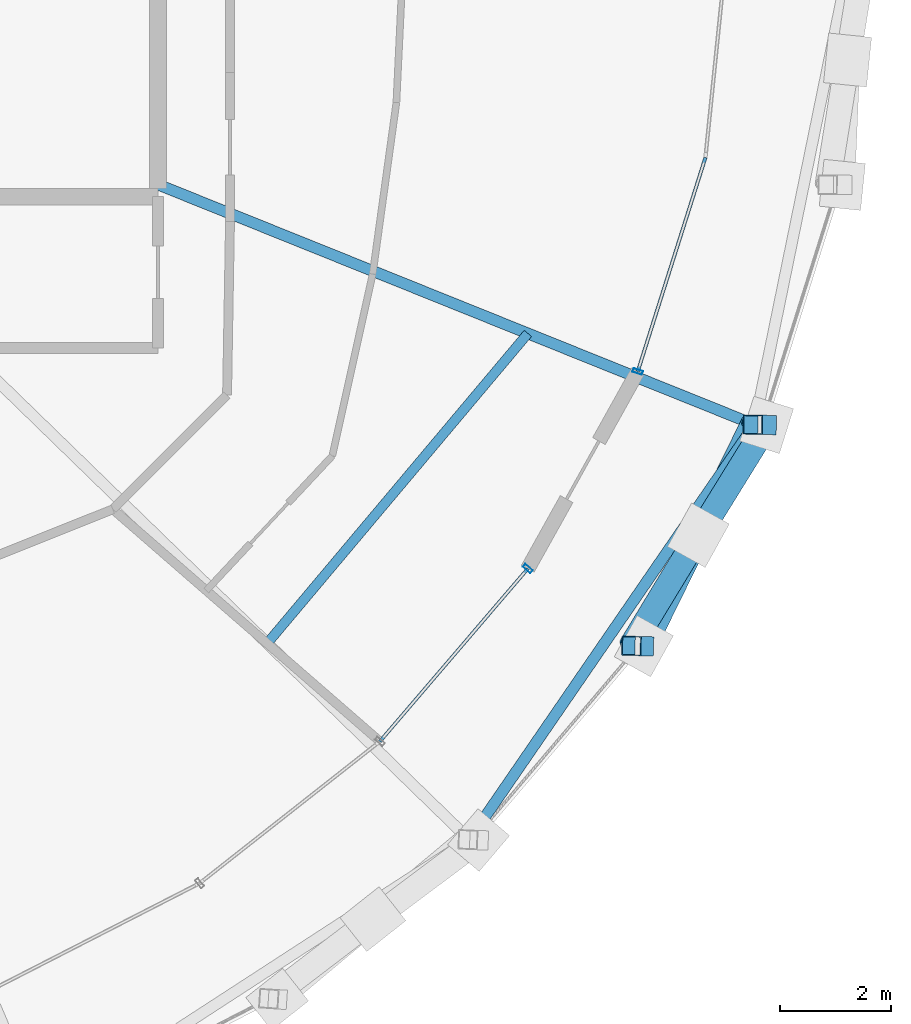
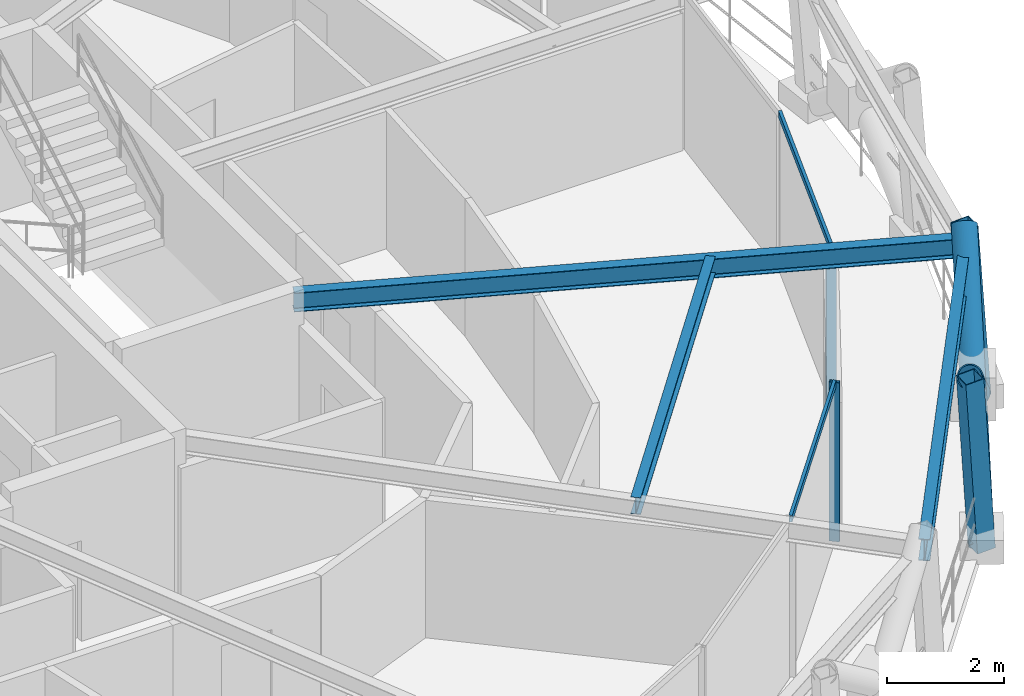
# One storey, part 5 of 17: 9 members, 3 beams, 2 elements without a shape of their own.
"""IFC4 building model written with IfcOpenShell, lengths in metres."""

from ifc_helpers import new_model, si_unit, direction, frame, origin, origin_2d, place, context, subcontext, project, spatial, hollow_rectangle, hollow_circle, i_section, extrude, material, layer, layer_set, material_profile, profile_set, type_object, element, aggregate, save


model = new_model("IFC4")

# Units and contexts
model_context = context("Model", 3, precision=1e-05, world=origin(), true_north=direction((0.0, 1.0)))
body_context = subcontext(model_context, "Body", "Model", "MODEL_VIEW")
ifc_project = project(units=[si_unit("LENGTHUNIT", "METRE"), si_unit("AREAUNIT", "SQUARE_METRE"), si_unit("VOLUMEUNIT", "CUBIC_METRE"), si_unit("PLANEANGLEUNIT", "RADIAN"), si_unit("MASSUNIT", "GRAM", prefix="KILO")], contexts=[model_context])

# Site, building, storey
site_placement = place(None, origin())
site = spatial("IfcSite", under=ifc_project, at=site_placement, CompositionType="ELEMENT")
building_placement = place(site_placement, origin())
building = spatial("IfcBuilding", under=site, at=building_placement, Name="Veldorina Hangang Commons", CompositionType="ELEMENT")
storey_placement = place(building_placement, frame((0.0, 0.0, 236.39990234375)))
storey = spatial("IfcBuildingStorey", under=building, at=storey_placement, Name="L61", CompositionType="ELEMENT", Elevation=236.39990234375)

# Beams
ifc_material_1 = material(Name="Steel SM355-TMC", Category="steel")
ifc_material_profile_1 = material_profile(ifc_material_1, i_section(OverallWidth=0.199951171875, OverallDepth=0.39990234375, WebThickness=0.008056640625, FlangeThickness=0.012939453125, FilletRadius=0.012939453125, at=origin_2d()), Name="H-400x200x8x13")
ifc_profile_set_1 = profile_set([ifc_material_profile_1], Name="Steel SM355-TMC")
beam_type_1 = type_object("IfcBeamType", Name="BM-FG400", PredefinedType="BEAM", material=ifc_profile_set_1)
beam_1_placement = place(storey_placement, frame((43.179931640625, 19.498779296875, 3.16015625), z_axis=(0.927628949493, -0.373503054957, 0.0), x_axis=(0.373503054957, 0.927628949493, 0.0)))
element("IfcBeam", 1, at=beam_1_placement, inside=storey, type_object=beam_type_1, Name="L61 radial floor girder 16", PredefinedType="BEAM", context=body_context, shape_type="SweptSolid", body=[
    extrude(i_section(OverallWidth=0.199951171875, OverallDepth=0.39990234375, WebThickness=0.008056640625, FlangeThickness=0.012939453125, FilletRadius=0.012939453125, at=origin_2d()), origin(), (0.0, 0.0, 1.0), 11.612060546875),
])
ifc_material_profile_2 = material_profile(ifc_material_1, i_section(OverallWidth=0.175048828125, OverallDepth=0.35009765625, WebThickness=0.007080078125, FlangeThickness=0.010986328125, FilletRadius=0.012939453125, at=origin_2d()), Name="H-350x175x7x11")
ifc_profile_set_2 = profile_set([ifc_material_profile_2], Name="Steel SM355-TMC")
beam_type_2 = type_object("IfcBeamType", Name="BM-JST350", PredefinedType="JOIST", material=ifc_profile_set_2)
beam_2_placement = place(storey_placement, frame((45.152587890625, 11.21533203125, 3.18505859375), z_axis=(0.643708858076, 0.765270479004, 0.0), x_axis=(-0.765270479004, 0.643708858076, 0.0)))
element("IfcBeam", 2, at=beam_2_placement, inside=storey, type_object=beam_type_2, Name="L61 secondary floor joist 15", PredefinedType="JOIST", context=body_context, shape_type="SweptSolid", body=[
    extrude(i_section(OverallWidth=0.175048828125, OverallDepth=0.35009765625, WebThickness=0.007080078125, FlangeThickness=0.010986328125, FilletRadius=0.012939453125, at=origin_2d()), origin(), (0.0, 0.0, 1.0), 7.310546875),
])
ifc_material_profile_3 = material_profile(ifc_material_1, i_section(OverallWidth=0.199951171875, OverallDepth=0.449951171875, WebThickness=0.009033203125, FlangeThickness=0.013916015625, FilletRadius=0.01611328125, at=origin_2d()), Name="H-450x200x9x14")
ifc_profile_set_3 = profile_set([ifc_material_profile_3], Name="Steel SM355-TMC")
beam_type_3 = type_object("IfcBeamType", Name="BM-RB450", PredefinedType="BEAM", material=ifc_profile_set_3)
beam_3_placement = place(storey_placement, frame((48.801025390625, 7.6689453125, 3.135009765625), z_axis=(0.566485517873, 0.824071694721, 0.0), x_axis=(-0.824071694721, 0.566485517873, 0.0)))
element("IfcBeam", 3, at=beam_3_placement, inside=storey, type_object=beam_type_3, Name="L61 perimeter hoop ring beam 28", PredefinedType="BEAM", context=body_context, shape_type="SweptSolid", body=[
    extrude(i_section(OverallWidth=0.199951171875, OverallDepth=0.449951171875, WebThickness=0.009033203125, FlangeThickness=0.013916015625, FilletRadius=0.01611328125, at=origin_2d()), origin(), (0.0, 0.0, 1.0), 9.09228515625),
])

# Curtain wall, member
ifc_material_2 = material(Name="Glass Low-E Selective", Category="glass")
ifc_layer = layer(ifc_material_2, 0.179931640625)
ifc_layer_set = layer_set([ifc_layer], Name="Glass Low-E Selective")
curtain_wall_type = type_object("IfcCurtainWallType", Name="CW-SYS-Z3", PredefinedType="NOTDEFINED", material=ifc_layer_set)
curtain_wall_1_placement = place(storey_placement, origin())
curtain_wall_1 = element("IfcCurtainWall", 4, at=curtain_wall_1_placement, inside=storey, type_object=curtain_wall_type, Name="L61 unitised curtain wall CW-L61-R1", PredefinedType="NOTDEFINED")
ifc_material_3 = material(Name="Aluminium Anodized AA6063-T6", Category="aluminium")
ifc_material_profile_4 = material_profile(ifc_material_3, hollow_rectangle(XDim=0.070068359375, YDim=0.179931640625, WallThickness=0.00390625, at=origin_2d()), Name="ALU-RHS-180x70x4")
ifc_profile_set_4 = profile_set([ifc_material_profile_4], Name="Aluminium Anodized AA6063-T6")
member_type_1 = type_object("IfcMemberType", Name="CW-MUL-180", PredefinedType="MULLION", material=ifc_profile_set_4)
member_1_placement = place(storey_placement, frame((49.85693359375, 12.56298828125, 0.0), z_axis=(0.0, 0.0, 1.0), x_axis=(-0.650363316722, -0.75962329892, 0.0)))
member_1 = element("IfcMember", 5, at=member_1_placement, type_object=member_type_1, Name="CW-L61-R1 vertical mullion 4", PredefinedType="MULLION", context=body_context, shape_type="SweptSolid", body=[
    extrude(hollow_rectangle(XDim=0.070068359375, YDim=0.179931640625, WallThickness=0.00390625, at=origin_2d()), origin(), (0.0, 0.0, 1.0), 3.320068359375),
])

curtain_wall_2_placement = place(storey_placement, origin())
curtain_wall_2 = element("IfcCurtainWall", 6, at=curtain_wall_2_placement, inside=storey, type_object=curtain_wall_type, Name="L61 unitised curtain wall CW-L61-R2", PredefinedType="NOTDEFINED")
member_2_placement = place(storey_placement, frame((51.841552734375, 16.1220703125, 0.0), z_axis=(0.0, 0.0, 1.0), x_axis=(0.301704364497, 0.953401529495, 0.0)))
member_2 = element("IfcMember", 7, at=member_2_placement, type_object=member_type_1, Name="CW-L61-R2 vertical mullion 1", PredefinedType="MULLION", context=body_context, shape_type="SweptSolid", body=[
    extrude(hollow_rectangle(XDim=0.070068359375, YDim=0.179931640625, WallThickness=0.00390625, at=origin_2d()), origin(), (0.0, 0.0, 1.0), 3.320068359375),
])

# Member
ifc_material_profile_5 = material_profile(ifc_material_3, hollow_rectangle(XDim=0.06005859375, YDim=0.139892578125, WallThickness=0.00341796875, at=origin_2d()), Name="ALU-RHS-140x60x3.5")
ifc_profile_set_5 = profile_set([ifc_material_profile_5], Name="Aluminium Anodized AA6063-T6")
member_type_2 = type_object("IfcMemberType", Name="CW-TRN-140", PredefinedType="USERDEFINED", material=ifc_profile_set_5)
member_3_placement = place(storey_placement, frame((47.18603515625, 9.443359375, 3.280029296875), z_axis=(0.650360445981, 0.759625756741, 0.0), x_axis=(-0.759625756741, 0.650360445981, 0.0)))
member_3 = element("IfcMember", 8, at=member_3_placement, type_object=member_type_2, Name="CW-L61-R1 facet 4 transom 1", ObjectType="TRANSOM", PredefinedType="USERDEFINED", context=body_context, shape_type="SweptSolid", body=[
    extrude(hollow_rectangle(XDim=0.06005859375, YDim=0.139892578125, WallThickness=0.00341796875, at=origin_2d()), origin(), (0.0, 0.0, 1.0), 4.106689453125),
])

aggregate(curtain_wall_1, [member_1, member_3])

member_4_placement = place(storey_placement, frame((51.841552734375, 16.1220703125, 3.280029296875), z_axis=(0.301725535313, 0.953394829722, 0.0), x_axis=(-0.953394829722, 0.301725535313, 0.0)))
member_4 = element("IfcMember", 9, at=member_4_placement, type_object=member_type_2, Name="CW-L61-R2 facet 1 transom 1", ObjectType="TRANSOM", PredefinedType="USERDEFINED", context=body_context, shape_type="SweptSolid", body=[
    extrude(hollow_rectangle(XDim=0.06005859375, YDim=0.139892578125, WallThickness=0.00341796875, at=origin_2d()), origin(), (0.0, 0.0, 1.0), 4.050537109375),
])

aggregate(curtain_wall_2, [member_2, member_4])

# Members
ifc_material_profile_6 = material_profile(ifc_material_1, hollow_circle(Radius=0.22509765625, WallThickness=0.02197265625, at=origin_2d()), Name="CHS-450x22")
ifc_profile_set_6 = profile_set([ifc_material_profile_6], Name="Steel SM355-TMC")
member_type_3 = type_object("IfcMemberType", Name="DG-CHS450", PredefinedType="BRACE", material=ifc_profile_set_6)
member_5_placement = place(storey_placement, frame((51.9521484375, 11.162841796875, 0.0), z_axis=(0.343361552963, 0.698057701743, 0.628345676346), x_axis=(-0.897322227226, 0.441376053412, 0.0)))
element("IfcMember", 10, at=member_5_placement, inside=storey, type_object=member_type_3, Name="L61 continuous perimeter diagrid brace 29", PredefinedType="BRACE", context=body_context, shape_type="SweptSolid", body=[
    extrude(hollow_circle(Radius=0.22509765625, WallThickness=0.02197265625, at=origin_2d()), origin(), (0.0, 0.0, 1.0), 5.7294921875),
])
member_6_placement = place(storey_placement, frame((54.169677734375, 15.15771484375, 0.0), z_axis=(-0.416934137274, -0.673883840336, 0.609956141792), x_axis=(0.850396174216, -0.526142895875, 0.0)))
element("IfcMember", 11, at=member_6_placement, inside=storey, type_object=member_type_3, Name="L61 split perimeter diagrid lower brace 30", PredefinedType="BRACE", context=body_context, shape_type="SweptSolid", body=[
    extrude(hollow_circle(Radius=0.22509765625, WallThickness=0.02197265625, at=origin_2d()), origin(), (0.0, 0.0, 1.0), 2.955810546875),
])
member_7_placement = place(storey_placement, frame((52.937255859375, 13.165771484375, 1.802978515625), z_axis=(-0.410871820828, -0.677549013129, 0.610009575054), x_axis=(0.855065758854, -0.518519573434, 0.0)))
element("IfcMember", 12, at=member_7_placement, inside=storey, type_object=member_type_3, Name="L61 split perimeter diagrid upper brace 30", PredefinedType="BRACE", context=body_context, shape_type="SweptSolid", body=[
    extrude(hollow_circle(Radius=0.22509765625, WallThickness=0.02197265625, at=origin_2d()), origin(), (0.0, 0.0, 1.0), 2.946044921875),
])
ifc_material_profile_7 = material_profile(ifc_material_1, hollow_rectangle(XDim=0.35009765625, YDim=0.35009765625, WallThickness=0.01611328125, at=origin_2d()), Name="SHS-350x350x16")
ifc_profile_set_7 = profile_set([ifc_material_profile_7], Name="Steel SM355-TMC")
member_type_4 = type_object("IfcMemberType", Name="STR-SHS350", PredefinedType="STRUT", material=ifc_profile_set_7)
member_8_placement = place(storey_placement, frame((51.9521484375, 11.162841796875, 0.0), z_axis=(-0.062470875088, 0.001895107803, 0.99804498813), x_axis=(-0.030321912441, -0.999540185098, 0.0)))
element("IfcMember", 13, at=member_8_placement, inside=storey, type_object=member_type_4, Name="L61 perimeter ring node post 29", PredefinedType="STRUT", context=body_context, shape_type="SweptSolid", body=[
    extrude(hollow_rectangle(XDim=0.35009765625, YDim=0.35009765625, WallThickness=0.01611328125, at=origin_2d()), origin(), (0.0, 0.0, 1.0), 3.607177734375),
])
member_9_placement = place(storey_placement, frame((54.169677734375, 15.15771484375, 0.0), z_axis=(-0.069342998123, 0.001285382404, 0.997592049088), x_axis=(-0.018533401555, -0.999828241763, 0.0)))
element("IfcMember", 14, at=member_9_placement, inside=storey, type_object=member_type_4, Name="L61 perimeter ring node post 30", PredefinedType="STRUT", context=body_context, shape_type="SweptSolid", body=[
    extrude(hollow_rectangle(XDim=0.35009765625, YDim=0.35009765625, WallThickness=0.01611328125, at=origin_2d()), origin(), (0.0, 0.0, 1.0), 3.60888671875),
])

save(model, "model.ifc")
